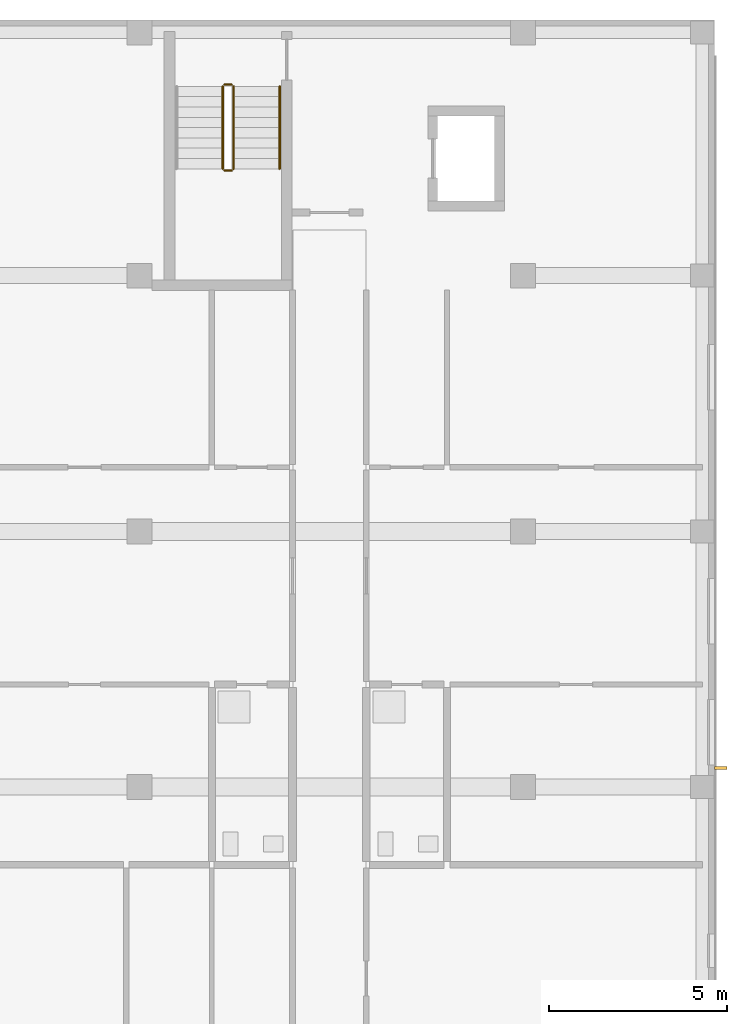
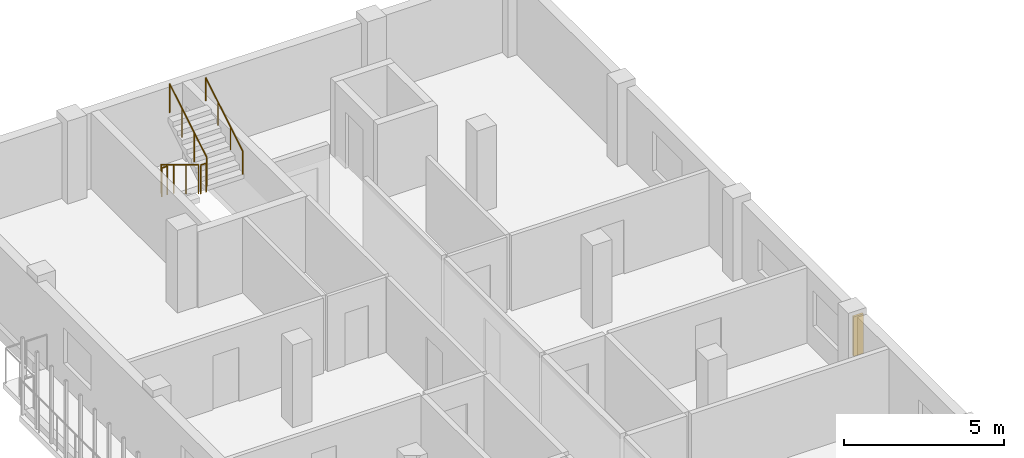
# One storey, part 49 of 51: 5 railings, 1 shading device.
"""IFC4 building model written with IfcOpenShell, lengths in metres."""

import ifcopenshell
import ifcopenshell.guid

model = None  # the IFC model being written
_history = None  # IfcOwnerHistory: only IFC2X3 demands one
_inside = {}  # id of a spatial element -> (the spatial element, [elements in it])
_under = {}  # id of a project, library or spatial element -> (it, [spatial elements below it])
_declared = {}  # id of a project -> (the project, [libraries it declares])
_typed = {}  # id of a type object -> (the type object, [elements of that type])
_made_of = {}  # id of a material, layer set ... -> (it, [elements and type objects made of it])


def new_model(schema):
    """Start an empty IFC model of exactly this schema.

    Asked for "IFC4X3", IfcOpenShell would pick the latest addendum, in which some entities
    have other attributes; the version numbers below select the first issue.
    IFC2X3 requires an IfcOwnerHistory on every rooted entity: one is made here for all.
    """
    global model, _history
    if schema == "IFC4X3":
        model = ifcopenshell.file(schema_version=(4, 3, 0, 0))
    else:
        model = ifcopenshell.file(schema=schema)
    _inside.clear()
    _under.clear()
    _declared.clear()
    _typed.clear()
    _made_of.clear()
    _history = None
    if model.schema == "IFC2X3":
        org = make("IfcOrganization", Name="unknown")
        user = make(
            "IfcPersonAndOrganization",
            ThePerson=make("IfcPerson", FamilyName="unknown"),
            TheOrganization=org,
        )
        app = make(
            "IfcApplication",
            ApplicationDeveloper=org,
            Version="unknown",
            ApplicationFullName="unknown",
            ApplicationIdentifier="unknown",
        )
        _history = make(
            "IfcOwnerHistory",
            OwningUser=user,
            OwningApplication=app,
            ChangeAction="ADDED",
            CreationDate=0,
        )
    return model


def make(cls, **values):
    """One entity of the class cls with the attributes given. An attribute that is None is left unset."""
    return model.create_entity(
        cls, **{name: value for name, value in values.items() if value is not None}
    )


def rooted(cls, **values):
    """An entity with a GlobalId (a new one), such as an element, a storey or a relation."""
    return make(cls, GlobalId=ifcopenshell.guid.new(), OwnerHistory=_history, **values)


def si_unit(unit_type, name, prefix=None):
    """IfcSIUnit, for example si_unit("LENGTHUNIT", "METRE", prefix="MILLI")."""
    return make("IfcSIUnit", UnitType=unit_type, Prefix=prefix, Name=name)


def derived_unit(unit_type, elements):
    """IfcDerivedUnit: a product of units, each with its exponent."""
    return make(
        "IfcDerivedUnit",
        Elements=[
            make("IfcDerivedUnitElement", Unit=unit, Exponent=power)
            for unit, power in elements
        ],
        UnitType=unit_type,
    )


def assignment(units):
    """IfcUnitAssignment: the units of a project."""
    return None if units is None else make("IfcUnitAssignment", Units=units)


def point(xyz):
    """IfcCartesianPoint."""
    return None if xyz is None else make("IfcCartesianPoint", Coordinates=xyz)


def direction(xyz):
    """IfcDirection."""
    return None if xyz is None else make("IfcDirection", DirectionRatios=xyz)


def frame(location, z_axis=None, x_axis=None):
    """IfcAxis2Placement3D, a coordinate frame: its origin and axes. An axis left out is left unset."""
    return make(
        "IfcAxis2Placement3D",
        Location=point(location),
        Axis=direction(z_axis),
        RefDirection=direction(x_axis),
    )


def frame_2d(location, x_axis=None):
    """IfcAxis2Placement2D, a coordinate frame in the plane: its origin and x axis."""
    return make(
        "IfcAxis2Placement2D", Location=point(location), RefDirection=direction(x_axis)
    )


def origin():
    """The frame at (0, 0, 0) with its axes left unset."""
    return frame((0.0, 0.0, 0.0))


def origin_2d():
    """The frame at (0, 0) in the plane with its x axis left unset."""
    return frame_2d((0.0, 0.0))


def place(relative_to, where):
    """IfcLocalPlacement: puts the frame where relative to a parent placement (None: the world)."""
    return make(
        "IfcLocalPlacement", PlacementRelTo=relative_to, RelativePlacement=where
    )


def context(
    kind, dimensions, precision=None, world=None, true_north=None, identifier=None
):
    """IfcGeometricRepresentationContext, for example the 3D "Model" context."""
    return make(
        "IfcGeometricRepresentationContext",
        ContextIdentifier=identifier,
        ContextType=kind,
        CoordinateSpaceDimension=dimensions,
        Precision=precision,
        WorldCoordinateSystem=world,
        TrueNorth=true_north,
    )


def subcontext(parent, identifier, kind, view, scale=None):
    """IfcGeometricRepresentationSubContext, for example "Body" below "Model"."""
    return make(
        "IfcGeometricRepresentationSubContext",
        ContextIdentifier=identifier,
        ContextType=kind,
        ParentContext=parent,
        TargetScale=scale,
        TargetView=view,
    )


def project(units=None, contexts=None):
    """IfcProject with its units and contexts."""
    return rooted(
        "IfcProject",
        Name="project",
        RepresentationContexts=contexts,
        UnitsInContext=assignment(units),
    )


def spatial(cls, under=None, at=None, **own):
    """A site, building, storey or space (cls), placed at a placement, below another one or the project."""
    s = rooted(cls, ObjectPlacement=at, **own)
    if under is not None:
        _under.setdefault(under.id(), (under, []))[1].append(s)
    return s


def profile(cls, at=None, kind="AREA", **sizes):
    """A parametric profile (cls). Its sizes go by their IFC names, for example OverallWidth=200.0."""
    return make(cls, ProfileType=kind, Position=at, **sizes)


def rectangle(**sizes):
    """IfcRectangleProfileDef."""
    return profile("IfcRectangleProfileDef", **sizes)


def circle(**sizes):
    """IfcCircleProfileDef."""
    return profile("IfcCircleProfileDef", **sizes)


def extrude(swept, where, along, depth):
    """IfcExtrudedAreaSolid: the profile swept, set in the frame where, extruded along a direction by depth."""
    return make(
        "IfcExtrudedAreaSolid",
        SweptArea=swept,
        Position=where,
        ExtrudedDirection=direction(along),
        Depth=depth,
    )


def shape(context_of_items, identifier, shape_type, items):
    """IfcShapeRepresentation: the items that make up one representation, for example the "Body"."""
    return make(
        "IfcShapeRepresentation",
        ContextOfItems=context_of_items,
        RepresentationIdentifier=identifier,
        RepresentationType=shape_type,
        Items=items,
    )


def material(Name=None, Category=None):
    """IfcMaterial."""
    return make("IfcMaterial", Name=Name, Category=Category)


def made_of(thing, what):
    """Note that an element or type object is made of a material, layer set ...; save() writes the relation."""
    if what is not None:
        _made_of.setdefault(what.id(), (what, []))[1].append(thing)
    return thing


def type_object(cls, material=None, **own):
    """A type object (cls), such as IfcWallType, which elements share."""
    return made_of(rooted(cls, **own), material)


def element(
    cls,
    number,
    at=None,
    inside=None,
    cuts=None,
    type_object=None,
    material=None,
    context=None,
    identifier="Body",
    shape_type=None,
    held_by="IfcProductDefinitionShape",
    body=None,
    shapes=None,
    **own,
):
    """One element of the class cls, such as IfcWall. Its Tag is "e" and its number.

    at: its placement. inside: the storey or other place that contains it. cuts: it is an
    opening in that element (IfcRelVoidsElement). A single representation is given by context,
    identifier, shape_type and body (its items); several are given by shapes. held_by: the class
    of the entity that holds the representations. save() writes the other relations.
    """
    e = rooted(cls, Tag="e%d" % number, ObjectPlacement=at, **own)
    if body is not None:
        shapes = [shape(context, identifier, shape_type, body)]
    if shapes is not None:
        e.Representation = make(held_by, Representations=shapes)
    if inside is not None:
        _inside.setdefault(inside.id(), (inside, []))[1].append(e)
    if cuts is not None:
        rooted(
            "IfcRelVoidsElement", RelatingBuildingElement=cuts, RelatedOpeningElement=e
        )
    if type_object is not None:
        _typed.setdefault(type_object.id(), (type_object, []))[1].append(e)
    return made_of(e, material)


def aggregate(whole, parts):
    """IfcRelAggregates: a whole, such as a stair, and the parts it consists of."""
    return rooted("IfcRelAggregates", RelatingObject=whole, RelatedObjects=parts)


def save(model, path):
    """Write the relations noted so far, then the file.

    IfcRelAggregates (storeys below a building ...), IfcRelContainedInSpatialStructure (elements
    in a storey), IfcRelDefinesByType, IfcRelAssociatesMaterial and IfcRelDeclares: one each for
    every whole, place, type object, material and project.
    """
    for whole, parts in _under.values():
        aggregate(whole, parts)
    for where, things in _inside.values():
        rooted(
            "IfcRelContainedInSpatialStructure",
            RelatedElements=things,
            RelatingStructure=where,
        )
    for kind, things in _typed.values():
        rooted("IfcRelDefinesByType", RelatedObjects=things, RelatingType=kind)
    for what, things in _made_of.values():
        rooted("IfcRelAssociatesMaterial", RelatedObjects=things, RelatingMaterial=what)
    for by, libraries in _declared.values():
        rooted("IfcRelDeclares", RelatingContext=by, RelatedDefinitions=libraries)
    model.write(path)


model = new_model("IFC4")

# Units and contexts
model_context = context("Model", 3, precision=1e-05, world=origin(), true_north=direction((0.0, 1.0)))
body_context = subcontext(model_context, "Body", "Model", "MODEL_VIEW")
ifc_project = project(units=[si_unit("LENGTHUNIT", "METRE"), si_unit("AREAUNIT", "SQUARE_METRE"), si_unit("VOLUMEUNIT", "CUBIC_METRE"), si_unit("PLANEANGLEUNIT", "RADIAN"), si_unit("MASSUNIT", "GRAM", prefix="KILO"), derived_unit("THERMALTRANSMITTANCEUNIT", [(si_unit("MASSUNIT", "GRAM", prefix="KILO"), 1), (si_unit("TIMEUNIT", "SECOND"), -3), (si_unit("THERMODYNAMICTEMPERATUREUNIT", "KELVIN"), -1)])], contexts=[model_context])

# Site, building, storey
site_placement = place(None, origin())
site = spatial("IfcSite", under=ifc_project, at=site_placement, CompositionType="ELEMENT")
building_placement = place(site_placement, origin())
building = spatial("IfcBuilding", under=site, at=building_placement, Name="Ochrekiln Boulevard Commons", CompositionType="ELEMENT")
storey_placement = place(building_placement, frame((0.0, 0.0, 18.375)))
storey = spatial("IfcBuildingStorey", under=building, at=storey_placement, Name="L05", CompositionType="ELEMENT", Elevation=18.375)

# Railings
ifc_material_1 = material(Name="Brushed stainless steel 316 tubular railing", Category="steel")
railing_type_1 = type_object("IfcRailingType", Name="RLG-HDR-900", PredefinedType="HANDRAIL", material=ifc_material_1)
railing_1_placement = place(storey_placement, frame((160.550048828125, 114.610107421875, 1.75)))
element("IfcRailing", 1, at=railing_1_placement, inside=storey, type_object=railing_type_1, Name="L05 ST-B2 stair handrail 2", PredefinedType="HANDRAIL", context=body_context, shape_type="SweptSolid", body=[
    extrude(circle(Radius=0.02392578125, at=origin_2d()), frame((0.0, 0.0, 0.8759765625), z_axis=(0.0, 0.856186286599, 0.516667245565), x_axis=(-1.0, 0.0, 0.0)), (0.0, 0.0, 1.0), 2.70947265625),
    extrude(circle(Radius=0.02099609375, at=origin_2d()), origin(), (0.0, 0.0, 1.0), 0.851806640625),
    extrude(circle(Radius=0.02099609375, at=origin_2d()), frame((0.0, 0.773193359375, 0.466552734375)), (0.0, 0.0, 1.0), 0.851806640625),
    extrude(circle(Radius=0.02099609375, at=origin_2d()), frame((0.0, 1.546630859375, 0.933349609375)), (0.0, 0.0, 1.0), 0.851806640625),
    extrude(circle(Radius=0.02099609375, at=origin_2d()), frame((0.0, 2.31982421875, 1.39990234375)), (0.0, 0.0, 1.0), 0.851806640625),
])
railing_type_2 = type_object("IfcRailingType", Name="RLG-STR-1120", PredefinedType="BALUSTRADE", material=ifc_material_1)
railing_2_placement = place(storey_placement, frame((158.949951171875, 116.929931640625, 0.175048828125)))
element("IfcRailing", 2, at=railing_2_placement, inside=storey, type_object=railing_type_2, Name="L05 ST-B2 stair guard 1", PredefinedType="BALUSTRADE", context=body_context, shape_type="SweptSolid", body=[
    extrude(circle(Radius=0.02392578125, at=origin_2d()), frame((0.0, 0.0, 1.09619140625), z_axis=(0.0, -0.856186286599, 0.516667245565), x_axis=(1.0, 0.0, 0.0)), (0.0, 0.0, 1.0), 2.70947265625),
    extrude(circle(Radius=0.02099609375, at=origin_2d()), origin(), (0.0, 0.0, 1.0), 1.072021484375),
    extrude(circle(Radius=0.02099609375, at=origin_2d()), frame((0.0, -0.773193359375, 0.466552734375)), (0.0, 0.0, 1.0), 1.072021484375),
    extrude(circle(Radius=0.02099609375, at=origin_2d()), frame((0.0, -1.546630859375, 0.933349609375)), (0.0, 0.0, 1.0), 1.072021484375),
    extrude(circle(Radius=0.02099609375, at=origin_2d()), frame((0.0, -2.31982421875, 1.39990234375)), (0.0, 0.0, 1.0), 1.072021484375),
])
railing_3_placement = place(storey_placement, frame((159.0, 114.56005859375, 1.574951171875)))
element("IfcRailing", 3, at=railing_3_placement, inside=storey, type_object=railing_type_2, Name="L05 ST-B2 stair guard 2", PredefinedType="BALUSTRADE", context=body_context, shape_type="SweptSolid", body=[
    extrude(circle(Radius=0.02392578125, at=origin_2d()), frame((0.0, 0.0, 1.09619140625), z_axis=(1.0, 0.0, 0.0), x_axis=(0.0, 1.0, 0.0)), (0.0, 0.0, 1.0), 0.199951171875),
    extrude(circle(Radius=0.02099609375, at=origin_2d()), origin(), (0.0, 0.0, 1.0), 1.072021484375),
    extrude(circle(Radius=0.02099609375, at=origin_2d()), frame((0.199951171875, 0.0, 0.0)), (0.0, 0.0, 1.0), 1.072021484375),
])
railing_4_placement = place(storey_placement, frame((159.25, 114.610107421875, 1.75)))
element("IfcRailing", 4, at=railing_4_placement, inside=storey, type_object=railing_type_2, Name="L05 ST-B2 stair guard 3", PredefinedType="BALUSTRADE", context=body_context, shape_type="SweptSolid", body=[
    extrude(circle(Radius=0.02392578125, at=origin_2d()), frame((0.0, 0.0, 1.09619140625), z_axis=(0.0, 0.856186286599, 0.516667245565), x_axis=(-1.0, 0.0, 0.0)), (0.0, 0.0, 1.0), 2.70947265625),
    extrude(circle(Radius=0.02099609375, at=origin_2d()), origin(), (0.0, 0.0, 1.0), 1.072021484375),
    extrude(circle(Radius=0.02099609375, at=origin_2d()), frame((0.0, 0.773193359375, 0.466552734375)), (0.0, 0.0, 1.0), 1.072021484375),
    extrude(circle(Radius=0.02099609375, at=origin_2d()), frame((0.0, 1.546630859375, 0.933349609375)), (0.0, 0.0, 1.0), 1.072021484375),
    extrude(circle(Radius=0.02099609375, at=origin_2d()), frame((0.0, 2.31982421875, 1.39990234375)), (0.0, 0.0, 1.0), 1.072021484375),
])
railing_5_placement = place(storey_placement, frame((159.0, 116.97998046875, 0.0)))
element("IfcRailing", 5, at=railing_5_placement, inside=storey, type_object=railing_type_2, Name="L05 ST-B2 stair guard 4", PredefinedType="BALUSTRADE", context=body_context, shape_type="SweptSolid", body=[
    extrude(circle(Radius=0.02392578125, at=origin_2d()), frame((0.0, 0.0, 1.09619140625), z_axis=(1.0, 0.0, 0.0), x_axis=(0.0, 1.0, 0.0)), (0.0, 0.0, 1.0), 0.199951171875),
    extrude(circle(Radius=0.02099609375, at=origin_2d()), origin(), (0.0, 0.0, 1.0), 1.072021484375),
    extrude(circle(Radius=0.02099609375, at=origin_2d()), frame((0.199951171875, 0.0, 0.0)), (0.0, 0.0, 1.0), 1.072021484375),
])

# Shading device
ifc_material_2 = material(Name="Glazed architectural terracotta ASTM C1405", Category="masonry")
shading_device_type = type_object("IfcShadingDeviceType", Name="SHD-FIN-TERRA", PredefinedType="JALOUSIE", material=ifc_material_2)
shading_device_placement = place(storey_placement, frame((172.969970703125, 97.735107421875, 0.780029296875), z_axis=(0.0, 0.0, 1.0), x_axis=(1.0, 0.0, 0.0)))
element("IfcShadingDevice", 6, at=shading_device_placement, inside=storey, type_object=shading_device_type, Name="Terracotta Solar Shading Fin SF-01 (37)", PredefinedType="JALOUSIE", context=body_context, shape_type="SweptSolid", body=[
    extrude(rectangle(XDim=0.35009765625, YDim=0.080078125, at=origin_2d()), origin(), (0.0, 0.0, 1.0), 1.5),
])

save(model, "model.ifc")
